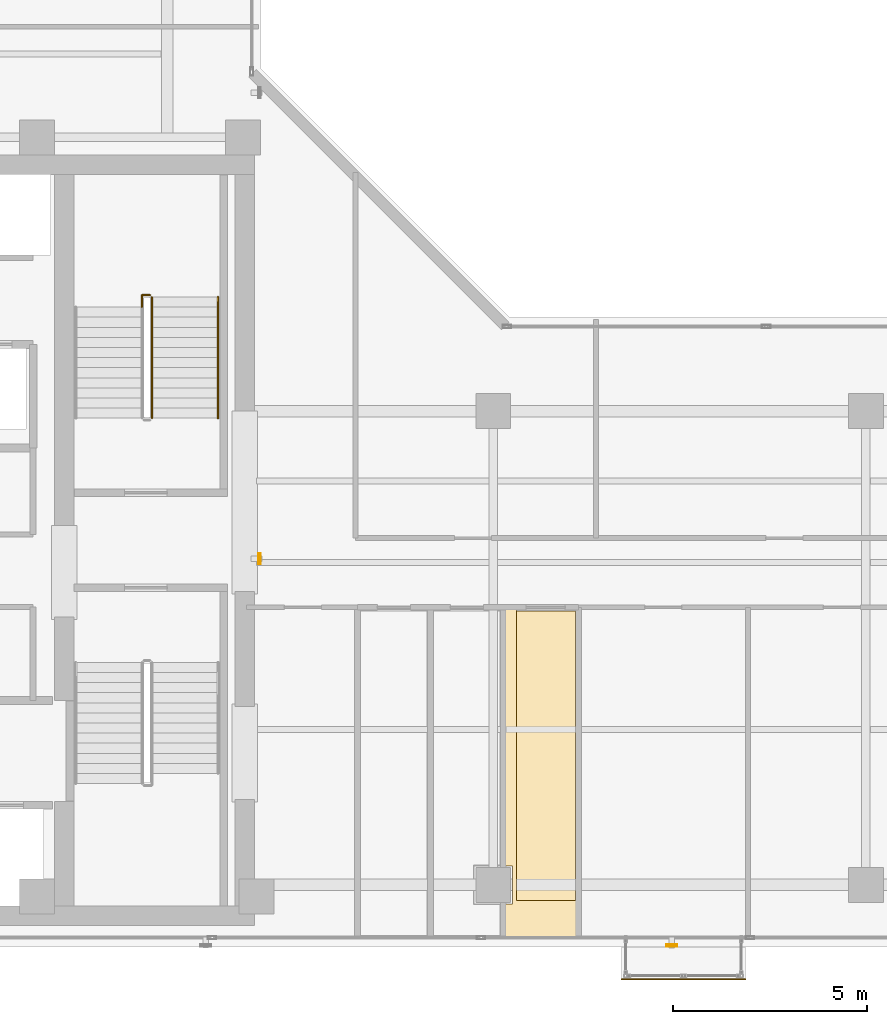
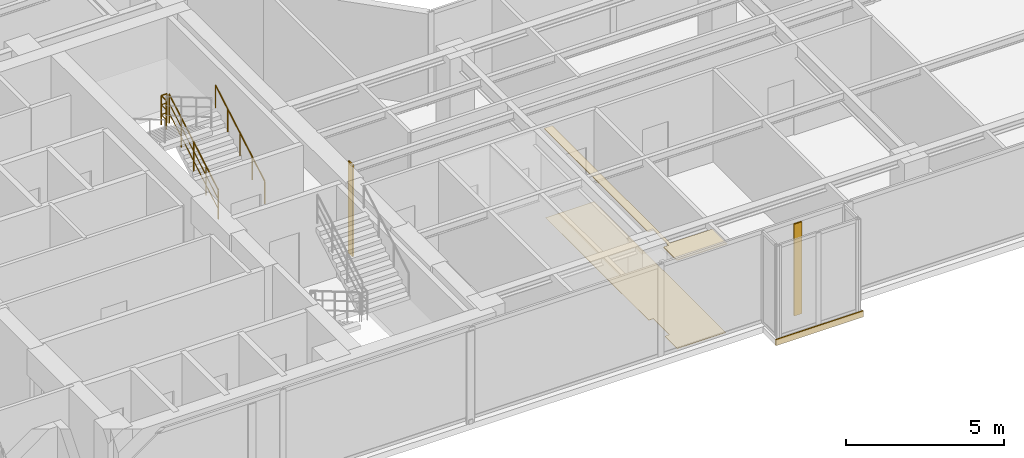
# One storey, part 21 of 22: 3 coverings, 3 railings, 2 shading devices.
"""IFC4 building model written with IfcOpenShell, lengths in metres."""

from ifc_helpers import new_model, si_unit, direction, frame, origin, origin_2d, place, context, subcontext, project, spatial, polyline, rectangle, hollow_rectangle, circle, outline, extrude, material, layer, layer_set, material_profile, profile_set, type_object, element, save


model = new_model("IFC4")

# Units and contexts
model_context = context("Model", 3, precision=1e-05, world=origin(), true_north=direction((0.0, 1.0)))
body_context = subcontext(model_context, "Body", "Model", "MODEL_VIEW")
ifc_project = project(units=[si_unit("LENGTHUNIT", "METRE"), si_unit("AREAUNIT", "SQUARE_METRE"), si_unit("VOLUMEUNIT", "CUBIC_METRE"), si_unit("PLANEANGLEUNIT", "RADIAN"), si_unit("MASSUNIT", "GRAM", prefix="KILO")], contexts=[model_context])

# Site, building, storey
site_placement = place(None, origin())
site = spatial("IfcSite", under=ifc_project, at=site_placement, CompositionType="ELEMENT")
building_placement = place(site_placement, origin())
building = spatial("IfcBuilding", under=site, at=building_placement, Name="Kolvaren Waterfront Exchange", CompositionType="ELEMENT")
storey_placement = place(building_placement, frame((0.0, 0.0, 327.39990234375)))
storey = spatial("IfcBuildingStorey", under=building, at=storey_placement, Name="L84", CompositionType="ELEMENT", Elevation=327.39990234375)

# Coverings
ifc_material_1 = material(Name="Mineral fibre acoustic ceiling tile")
ifc_layer_1 = layer(ifc_material_1, 0.02490234375, Name="Mineral fibre acoustic ceiling tile")
ifc_layer_set_1 = layer_set([ifc_layer_1], Name="Mineral fibre acoustic ceiling tile")
covering_type_1 = type_object("IfcCoveringType", Name="ARC-CEIL-ACOUSTIC-25", PredefinedType="CEILING", material=ifc_layer_set_1)
covering_1_placement = place(storey_placement, frame((0.0, 0.0, 3.445068359375)))
element("IfcCovering", 1, at=covering_1_placement, inside=storey, type_object=covering_type_1, Name="L84 acoustic suspended ceiling 3", PredefinedType="CEILING", context=body_context, shape_type="SweptSolid", body=[
    extrude(outline(polyline([(27.5048828125, 5.68994140625), (27.68994140625, 5.68994140625), (27.68994140625, 4.7099609375), (27.5048828125, 4.7099609375), (27.5048828125, 3.864990234375), (29.35498046875, 3.864990234375), (29.35498046875, 4.800048828125), (27.800048828125, 4.800048828125), (27.800048828125, 12.294921875), (27.5048828125, 12.294921875), (27.5048828125, 5.68994140625)])), origin(), (0.0, 0.0, 1.0), 0.025146484375),
])
ifc_material_2 = material(Name="Anodised bronze fascia aluminium", Category="aluminium")
ifc_layer_2 = layer(ifc_material_2, 0.034912109375, Name="Anodised bronze fascia aluminium")
ifc_layer_set_2 = layer_set([ifc_layer_2], Name="Anodised bronze fascia aluminium")
covering_type_2 = type_object("IfcCoveringType", Name="ARC-CLAD-BRONZE-35", PredefinedType="CLADDING", material=ifc_layer_set_2)
covering_2_placement = place(storey_placement, frame((32.10009765625, 2.77001953125, -0.2197265625), z_axis=(0.0, 0.0, 1.0), x_axis=(1.0, 0.0, 0.0)))
element("IfcCovering", 2, at=covering_2_placement, inside=storey, type_object=covering_type_2, Name="L84 ribbed anodised bronze bay-box fascia", PredefinedType="CLADDING", context=body_context, shape_type="SweptSolid", body=[
    extrude(rectangle(XDim=3.199951171875, YDim=0.034912109375, at=origin_2d()), origin(), (0.0, 0.0, 1.0), 0.239990234375),
])

# Shading devices
ifc_material_3 = material(Name="Anodised bronze aluminium 6063-T6", Category="aluminium")
ifc_material_profile = material_profile(ifc_material_3, hollow_rectangle(XDim=0.054931640625, YDim=0.280029296875, WallThickness=0.00439453125, at=origin_2d()), Name="BRZ-FIN-280x55x4.5")
ifc_profile_set = profile_set([ifc_material_profile], Name="Anodised bronze aluminium 6063-T6")
shading_device_type = type_object("IfcShadingDeviceType", Name="ARC-FIN-280", PredefinedType="USERDEFINED", material=ifc_profile_set)
for number, where, z_axis, x_axis, name in (
    (3, (31.800048828125, 3.639892578125, 0.0), (0.0, 0.0, 1.0), (0.0, -1.0, 0.0), "L84 anodised bronze solar shading fin FIN-L84-S3"),
    (4, (21.18115234375, 13.60009765625, 0.0), (0.0, 0.0, 1.0), (1.0, 0.0, 0.0), "L84 anodised bronze solar shading fin FIN-L84-E1"),
):
    element("IfcShadingDevice", number, at=place(storey_placement, frame(where, z_axis=z_axis, x_axis=x_axis)), inside=storey, type_object=shading_device_type, Name=name, ObjectType="SOLAR FIN", PredefinedType="USERDEFINED", context=body_context, shape_type="SweptSolid", body=[
        extrude(hollow_rectangle(XDim=0.054931640625, YDim=0.280029296875, WallThickness=0.00439453125, at=origin_2d()), origin(), (0.0, 0.0, 1.0), 3.56005859375),
    ])

# Covering
ifc_material_4 = material(Name="Slip-resistant porcelain tile")
ifc_layer_3 = layer(ifc_material_4, 0.014892578125, Name="Slip-resistant porcelain tile")
ifc_layer_set_3 = layer_set([ifc_layer_3], Name="Slip-resistant porcelain tile")
covering_type_3 = type_object("IfcCoveringType", Name="ARC-FLR-PORC-15", PredefinedType="FLOORING", material=ifc_layer_set_3)
covering_3_placement = place(storey_placement, origin())
element("IfcCovering", 5, at=covering_3_placement, inside=storey, type_object=covering_type_3, Name="L84 floor finish 3", PredefinedType="FLOORING", context=body_context, shape_type="SweptSolid", body=[
    extrude(outline(polyline([(27.5400390625, 4.68994140625), (27.5400390625, 3.89990234375), (29.320068359375, 3.89990234375), (29.320068359375, 12.260009765625), (27.5400390625, 12.260009765625), (27.5400390625, 5.7099609375), (27.7099609375, 5.7099609375), (27.7099609375, 4.68994140625), (27.5400390625, 4.68994140625)])), origin(), (0.0, 0.0, 1.0), 0.01513671875),
])

# Railings
ifc_material_5 = material(Name="Stainless steel 316", Category="steel")
railing_type_1 = type_object("IfcRailingType", Name="ARC-GUARD-STAIR", PredefinedType="GUARDRAIL", material=ifc_material_5)
railing_1_placement = place(storey_placement, frame((18.409912109375, 17.219970703125, 0.152099609375)))
element("IfcRailing", 6, at=railing_1_placement, inside=storey, type_object=railing_type_1, Name="L84 ST2 stair guard 1", PredefinedType="GUARDRAIL", context=body_context, shape_type="SweptSolid", body=[
    extrude(circle(Radius=0.02392578125, at=origin_2d()), frame((0.0, 0.0, 1.1259765625), z_axis=(0.0, 0.86330811405, 0.504677223793), x_axis=(-1.0, 0.0, 0.0)), (0.0, 0.0, 1.0), 3.6142578125),
    extrude(circle(Radius=0.01611328125, at=origin_2d()), frame((0.0, 0.0, 0.390869140625), z_axis=(0.0, 0.86330811405, 0.504677223793), x_axis=(-1.0, 0.0, 0.0)), (0.0, 0.0, 1.0), 3.6142578125),
    extrude(circle(Radius=0.01611328125, at=origin_2d()), frame((0.0, 0.0, 0.7705078125), z_axis=(0.0, 0.86330811405, 0.504677223793), x_axis=(-1.0, 0.0, 0.0)), (0.0, 0.0, 1.0), 3.6142578125),
    extrude(circle(Radius=0.02099609375, at=origin_2d()), origin(), (0.0, 0.0, 1.0), 1.101806640625),
    extrude(circle(Radius=0.02099609375, at=origin_2d()), frame((0.0, 0.780029296875, 0.4560546875)), (0.0, 0.0, 1.0), 1.101806640625),
    extrude(circle(Radius=0.02099609375, at=origin_2d()), frame((0.0, 1.56005859375, 0.912109375)), (0.0, 0.0, 1.0), 1.101806640625),
    extrude(circle(Radius=0.02099609375, at=origin_2d()), frame((0.0, 2.340087890625, 1.367919921875)), (0.0, 0.0, 1.0), 1.101806640625),
    extrude(circle(Radius=0.02099609375, at=origin_2d()), frame((0.0, 3.1201171875, 1.823974609375)), (0.0, 0.0, 1.0), 1.101806640625),
])
railing_2_placement = place(storey_placement, frame((18.360107421875, 20.389892578125, 1.97607421875)))
element("IfcRailing", 7, at=railing_2_placement, inside=storey, type_object=railing_type_1, Name="L84 ST2 stair guard 2", PredefinedType="GUARDRAIL", context=body_context, shape_type="SweptSolid", body=[
    extrude(circle(Radius=0.02392578125, at=origin_2d()), frame((0.0, 0.0, 1.1259765625), z_axis=(-1.0, 0.0, 0.0), x_axis=(0.0, -1.0, 0.0)), (0.0, 0.0, 1.0), 0.210205078125),
    extrude(circle(Radius=0.01611328125, at=origin_2d()), frame((0.0, 0.0, 0.390869140625), z_axis=(-1.0, 0.0, 0.0), x_axis=(0.0, -1.0, 0.0)), (0.0, 0.0, 1.0), 0.210205078125),
    extrude(circle(Radius=0.01611328125, at=origin_2d()), frame((0.0, 0.0, 0.7705078125), z_axis=(-1.0, 0.0, 0.0), x_axis=(0.0, -1.0, 0.0)), (0.0, 0.0, 1.0), 0.210205078125),
    extrude(circle(Radius=0.02392578125, at=origin_2d()), frame((-0.210205078125, 0.0, 1.1259765625), z_axis=(0.0, -1.0, 0.0), x_axis=(1.0, 0.0, 0.0)), (0.0, 0.0, 1.0), 0.309814453125),
    extrude(circle(Radius=0.01611328125, at=origin_2d()), frame((-0.210205078125, 0.0, 0.390869140625), z_axis=(0.0, -1.0, 0.0), x_axis=(1.0, 0.0, 0.0)), (0.0, 0.0, 1.0), 0.309814453125),
    extrude(circle(Radius=0.01611328125, at=origin_2d()), frame((-0.210205078125, 0.0, 0.7705078125), z_axis=(0.0, -1.0, 0.0), x_axis=(1.0, 0.0, 0.0)), (0.0, 0.0, 1.0), 0.309814453125),
    extrude(circle(Radius=0.02099609375, at=origin_2d()), origin(), (0.0, 0.0, 1.0), 1.101806640625),
    extrude(circle(Radius=0.02099609375, at=origin_2d()), frame((-0.210205078125, 0.0, 0.0)), (0.0, 0.0, 1.0), 1.101806640625),
    extrude(circle(Radius=0.02099609375, at=origin_2d()), frame((-0.210205078125, -0.309814453125, 0.0)), (0.0, 0.0, 1.0), 1.101806640625),
])
railing_type_2 = type_object("IfcRailingType", Name="ARC-HANDRAIL-900", PredefinedType="HANDRAIL", material=ifc_material_5)
railing_3_placement = place(storey_placement, frame((20.110107421875, 17.219970703125, 0.152099609375)))
element("IfcRailing", 8, at=railing_3_placement, inside=storey, type_object=railing_type_2, Name="L84 ST2 stair handrail 1", PredefinedType="HANDRAIL", context=body_context, shape_type="SweptSolid", body=[
    extrude(circle(Radius=0.02392578125, at=origin_2d()), frame((0.0, 0.0, 0.8759765625), z_axis=(0.0, 0.86330811405, 0.504677223793), x_axis=(-1.0, 0.0, 0.0)), (0.0, 0.0, 1.0), 3.6142578125),
    extrude(circle(Radius=0.02099609375, at=origin_2d()), origin(), (0.0, 0.0, 1.0), 0.851806640625),
    extrude(circle(Radius=0.02099609375, at=origin_2d()), frame((0.0, 0.780029296875, 0.4560546875)), (0.0, 0.0, 1.0), 0.851806640625),
    extrude(circle(Radius=0.02099609375, at=origin_2d()), frame((0.0, 1.56005859375, 0.912109375)), (0.0, 0.0, 1.0), 0.851806640625),
    extrude(circle(Radius=0.02099609375, at=origin_2d()), frame((0.0, 2.340087890625, 1.367919921875)), (0.0, 0.0, 1.0), 0.851806640625),
    extrude(circle(Radius=0.02099609375, at=origin_2d()), frame((0.0, 3.1201171875, 1.823974609375)), (0.0, 0.0, 1.0), 0.851806640625),
])

save(model, "model.ifc")
